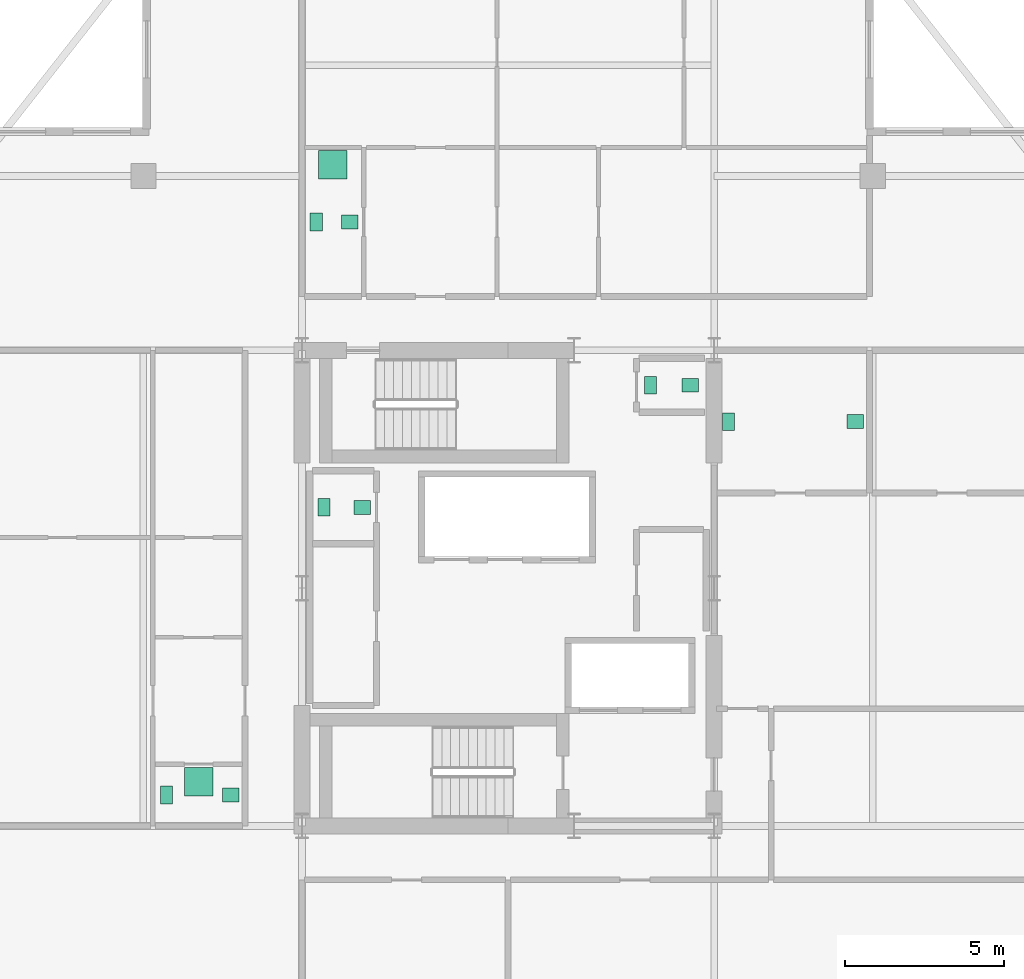
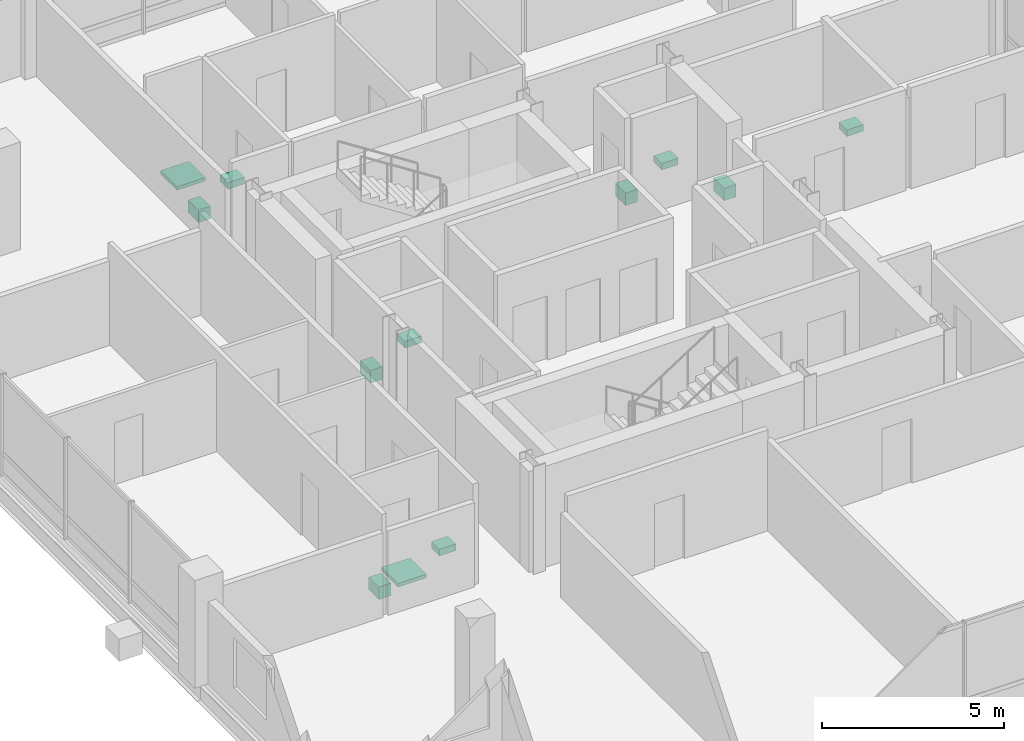
# One storey, part 21 of 21: 12 sanitary terminals.
"""IFC4 building model written with IfcOpenShell, lengths in metres."""

from ifc_helpers import new_model, si_unit, direction, frame, origin, origin_2d, place, context, subcontext, project, spatial, rectangle, extrude, material, type_object, element, save


model = new_model("IFC4")

# Units and contexts
model_context = context("Model", 3, precision=1e-05, world=origin(), true_north=direction((0.0, 1.0)))
body_context = subcontext(model_context, "Body", "Model", "MODEL_VIEW")
ifc_project = project(units=[si_unit("LENGTHUNIT", "METRE"), si_unit("AREAUNIT", "SQUARE_METRE"), si_unit("VOLUMEUNIT", "CUBIC_METRE"), si_unit("PLANEANGLEUNIT", "RADIAN"), si_unit("MASSUNIT", "GRAM", prefix="KILO")], contexts=[model_context])

# Site, building, storey
site_placement = place(None, origin())
site = spatial("IfcSite", under=ifc_project, at=site_placement, CompositionType="ELEMENT")
building_placement = place(site_placement, origin())
building = spatial("IfcBuilding", under=site, at=building_placement, Name="Barlavira Tower and Art Museum", CompositionType="ELEMENT")
storey_placement = place(building_placement, frame((0.0, 0.0, 222.300048828125)))
storey = spatial("IfcBuildingStorey", under=building, at=storey_placement, Name="L57", CompositionType="ELEMENT", Elevation=222.300048828125)

# Sanitary terminals
ifc_material = material(Name="Vitreous glazed ceramic", Category="ceramic")
sanitary_terminal_type_1 = type_object("IfcSanitaryTerminalType", Name="Countertop Ceramic Wash Hand Basin", PredefinedType="WASHHANDBASIN", material=ifc_material)
for number, where, z_axis, x_axis, name in (
    (1, (-4.60009765625, 2.550048828125, 0.73974609375), (0.0, 0.0, 1.0), (1.0, 0.0, 0.0), "L57-C-REC1W Wash Basin"),
    (2, (5.75, 6.39990234375, 0.73974609375), (0.0, 0.0, 1.0), (1.0, 0.0, 0.0), "L57-C-AWC4 Wash Basin"),
    (3, (10.949951171875, 5.25, 0.73974609375), (0.0, 0.0, 1.0), (1.0, 0.0, 0.0), "L57-SKY-AWC Wash Basin"),
    (4, (-5.0, 11.550048828125, 0.73974609375), (0.0, 0.0, 1.0), (1.0, 0.0, 0.0), "L57-SKY-N1-BTH1 Wash Basin"),
    (5, (-8.75, -6.52490234375, 0.73974609375), (0.0, 0.0, 1.0), (1.0, 0.0, 0.0), "L57-SKY-W1-BTH1 Wash Basin"),
):
    element("IfcSanitaryTerminal", number, at=place(storey_placement, frame(where, z_axis=z_axis, x_axis=x_axis)), inside=storey, type_object=sanitary_terminal_type_1, Name=name, PredefinedType="WASHHANDBASIN", context=body_context, shape_type="SweptSolid", body=[
        extrude(rectangle(XDim=0.52001953125, YDim=0.43994140625, at=origin_2d()), origin(), (0.0, 0.0, 1.0), 0.219970703125),
    ])
sanitary_terminal_type_2 = type_object("IfcSanitaryTerminalType", Name="Walk-In Thermostatic Rain Shower Unit", PredefinedType="SHOWER", material=ifc_material)
for number, where, z_axis, x_axis, name in (
    (6, (-5.52490234375, 13.35009765625, 0.0), (0.0, 0.0, 1.0), (1.0, 0.0, 0.0), "L57-SKY-N1-BTH1 Rain Shower"),
    (7, (-9.760009765625, -6.10009765625, 0.0), (0.0, 0.0, 1.0), (1.0, 0.0, 0.0), "L57-SKY-W1-BTH1 Rain Shower"),
):
    element("IfcSanitaryTerminal", number, at=place(storey_placement, frame(where, z_axis=z_axis, x_axis=x_axis)), inside=storey, type_object=sanitary_terminal_type_2, Name=name, PredefinedType="SHOWER", context=body_context, shape_type="SweptSolid", body=[
        extrude(rectangle(XDim=0.89990234375, YDim=0.89990234375, at=origin_2d()), origin(), (0.0, 0.0, 1.0), 0.1201171875),
    ])
sanitary_terminal_type_3 = type_object("IfcSanitaryTerminalType", Name="Wall-Hung Dual-Flush Vitreous WC Pan", PredefinedType="TOILETPAN", material=ifc_material)
for number, where, z_axis, x_axis, name in (
    (8, (-5.800048828125, 2.550048828125, 0.0), (0.0, 0.0, 1.0), (1.0, 0.0, 0.0), "L57-C-REC1W WC Pan"),
    (9, (4.5, 6.39990234375, 0.0), (0.0, 0.0, 1.0), (1.0, 0.0, 0.0), "L57-C-AWC4 WC Pan"),
    (10, (6.949951171875, 5.25, 0.0), (0.0, 0.0, 1.0), (1.0, 0.0, 0.0), "L57-SKY-AWC WC Pan"),
    (11, (-6.050048828125, 11.550048828125, 0.0), (0.0, 0.0, 1.0), (1.0, 0.0, 0.0), "L57-SKY-N1-BTH1 WC Pan"),
    (12, (-10.77001953125, -6.52490234375, 0.0), (0.0, 0.0, 1.0), (1.0, 0.0, 0.0), "L57-SKY-W1-BTH1 WC Pan"),
):
    element("IfcSanitaryTerminal", number, at=place(storey_placement, frame(where, z_axis=z_axis, x_axis=x_axis)), inside=storey, type_object=sanitary_terminal_type_3, Name=name, PredefinedType="TOILETPAN", context=body_context, shape_type="SweptSolid", body=[
        extrude(rectangle(XDim=0.3798828125, YDim=0.56005859375, at=origin_2d()), origin(), (0.0, 0.0, 1.0), 0.419921875),
    ])

save(model, "model.ifc")
